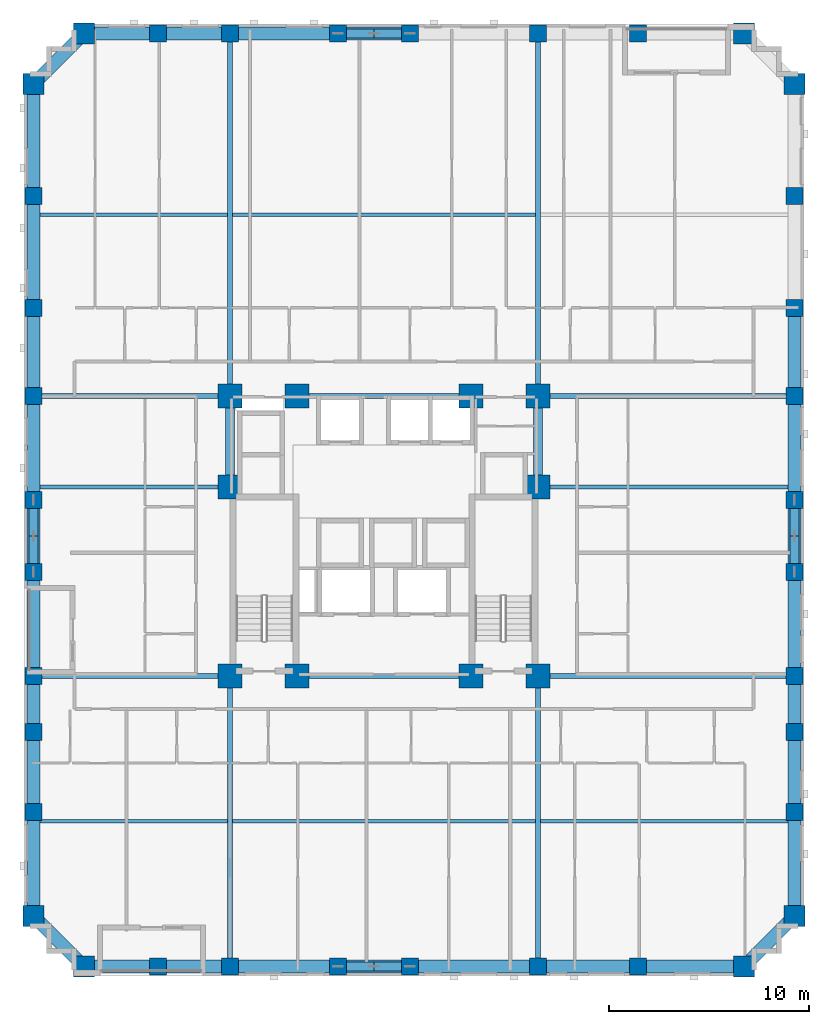
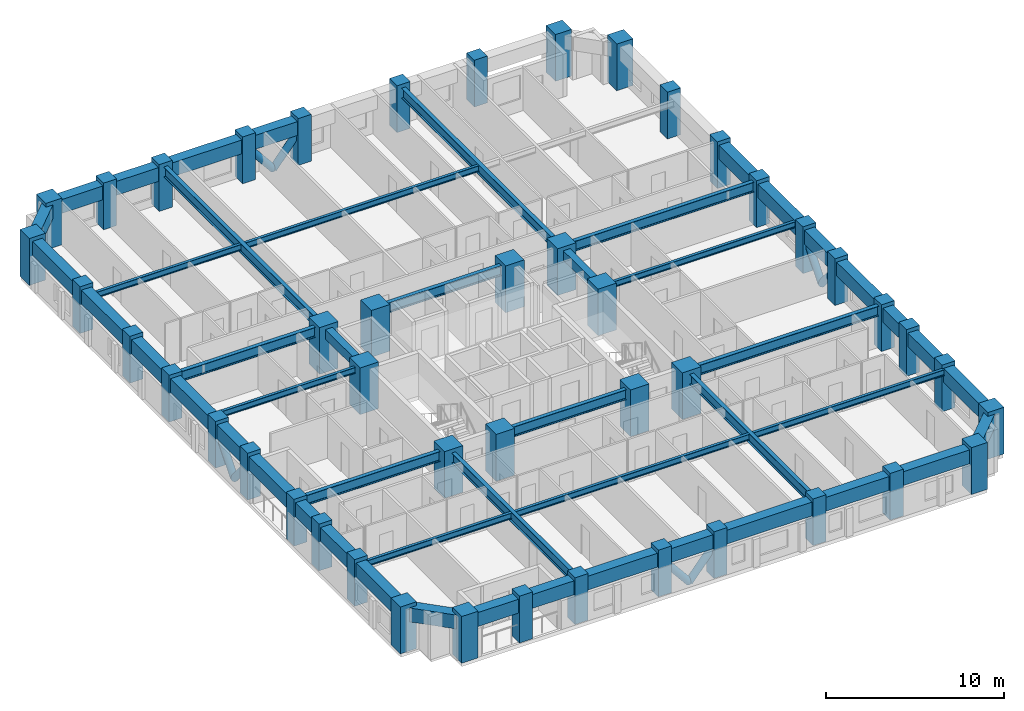
# One storey, part 1 of 14: 49 beams, 46 columns, 8 members.
"""IFC4 building model written with IfcOpenShell, lengths in metres."""

from ifc_helpers import new_model, si_unit, derived_unit, direction, frame, origin, origin_2d, place, context, subcontext, project, spatial, rectangle, hollow_circle, i_section, extrude, material, material_profile, profile_set, type_object, element, save


model = new_model("IFC4")

# Units and contexts
model_context = context("Model", 3, precision=1e-05, world=origin(), true_north=direction((0.0, 1.0)))
body_context = subcontext(model_context, "Body", "Model", "MODEL_VIEW")
ifc_project = project(units=[si_unit("LENGTHUNIT", "METRE"), si_unit("AREAUNIT", "SQUARE_METRE"), si_unit("VOLUMEUNIT", "CUBIC_METRE"), si_unit("PLANEANGLEUNIT", "RADIAN"), si_unit("MASSUNIT", "GRAM", prefix="KILO"), derived_unit("THERMALTRANSMITTANCEUNIT", [(si_unit("MASSUNIT", "GRAM", prefix="KILO"), 1), (si_unit("TIMEUNIT", "SECOND"), -3), (si_unit("THERMODYNAMICTEMPERATUREUNIT", "KELVIN"), -1)])], contexts=[model_context])

# Site, building, storey
site_placement = place(None, origin())
site = spatial("IfcSite", under=ifc_project, at=site_placement, CompositionType="ELEMENT")
building_placement = place(site_placement, origin())
building = spatial("IfcBuilding", under=site, at=building_placement, Name="Korrvale Station Residences", CompositionType="ELEMENT")
storey_placement = place(building_placement, frame((0.0, 0.0, 57.800048828125)))
storey = spatial("IfcBuildingStorey", under=building, at=storey_placement, Name="L15", CompositionType="ELEMENT", Elevation=57.800048828125)

# Columns
ifc_material_1 = material(Name="Concrete C70/85", Category="concrete")
ifc_material_profile_1 = material_profile(ifc_material_1, rectangle(XDim=1.050048828125, YDim=1.050048828125, at=origin_2d()), Name="RC1050x1050")
ifc_profile_set_1 = profile_set([ifc_material_profile_1], Name="Concrete C70/85")
column_type_1 = type_object("IfcColumnType", Name="COL-C-RC1050x1050-C7085", PredefinedType="COLUMN", material=ifc_profile_set_1)
for number, where, z_axis, x_axis, name in (
    (1, (10.5, 0.47998046875, 0.0), (0.0, 0.0, 1.0), (1.0, 0.0, 0.0), "L15 Bundled-Tube South Column 01"),
    (2, (43.5, 0.47998046875, 0.0), (0.0, 0.0, 1.0), (1.0, 0.0, 0.0), "L15 Bundled-Tube South Column 08"),
    (3, (10.5, 47.1201171875, 0.0), (0.0, 0.0, 1.0), (1.0, 0.0, 0.0), "L15 Bundled-Tube North Column 09"),
    (4, (43.5, 47.1201171875, 0.0), (0.0, 0.0, 1.0), (1.0, 0.0, 0.0), "L15 Bundled-Tube North Column 16"),
    (5, (7.97998046875, 3.0, 0.0), (0.0, 0.0, 1.0), (1.0, 0.0, 0.0), "L15 Bundled-Tube West Column 17"),
    (6, (7.97998046875, 44.60009765625, 0.0), (0.0, 0.0, 1.0), (1.0, 0.0, 0.0), "L15 Bundled-Tube West Column 26"),
    (7, (46.02001953125, 3.0, 0.0), (0.0, 0.0, 1.0), (1.0, 0.0, 0.0), "L15 Bundled-Tube East Column 27"),
    (8, (46.02001953125, 44.60009765625, 0.0), (0.0, 0.0, 1.0), (1.0, 0.0, 0.0), "L15 Bundled-Tube East Column 36"),
):
    element("IfcColumn", number, at=place(storey_placement, frame(where, z_axis=z_axis, x_axis=x_axis)), inside=storey, type_object=column_type_1, Name=name, PredefinedType="COLUMN", context=body_context, shape_type="SweptSolid", body=[
        extrude(rectangle(XDim=1.050048828125, YDim=1.050048828125, at=origin_2d()), origin(), (0.0, 0.0, 1.0), 3.199951171875),
    ])
ifc_material_profile_2 = material_profile(ifc_material_1, rectangle(XDim=1.199951171875, YDim=1.199951171875, at=origin_2d()), Name="RC1200x1200")
ifc_profile_set_2 = profile_set([ifc_material_profile_2], Name="Concrete C70/85")
column_type_2 = type_object("IfcColumnType", Name="COL-C-RC1200x1200-C7085", PredefinedType="COLUMN", material=ifc_profile_set_2)
for number, where, z_axis, x_axis, name in (
    (9, (17.800048828125, 15.0, 0.0), (0.0, 0.0, 1.0), (1.0, 0.0, 0.0), "L15 Core Column 01"),
    (10, (21.14990234375, 15.0, 0.0), (0.0, 0.0, 1.0), (1.0, 0.0, 0.0), "L15 Core Column 02"),
    (11, (29.85009765625, 15.0, 0.0), (0.0, 0.0, 1.0), (1.0, 0.0, 0.0), "L15 Core Column 03"),
    (12, (33.199951171875, 15.0, 0.0), (0.0, 0.0, 1.0), (1.0, 0.0, 0.0), "L15 Core Column 04"),
    (13, (17.800048828125, 29.0, 0.0), (0.0, 0.0, 1.0), (1.0, 0.0, 0.0), "L15 Core Column 05"),
    (14, (21.14990234375, 29.0, 0.0), (0.0, 0.0, 1.0), (1.0, 0.0, 0.0), "L15 Core Column 06"),
    (15, (29.85009765625, 29.0, 0.0), (0.0, 0.0, 1.0), (1.0, 0.0, 0.0), "L15 Core Column 07"),
    (16, (33.199951171875, 29.0, 0.0), (0.0, 0.0, 1.0), (1.0, 0.0, 0.0), "L15 Core Column 08"),
    (17, (17.800048828125, 24.449951171875, 0.0), (0.0, 0.0, 1.0), (1.0, 0.0, 0.0), "L15 Core Column 09"),
    (18, (33.199951171875, 24.449951171875, 0.0), (0.0, 0.0, 1.0), (1.0, 0.0, 0.0), "L15 Core Column 10"),
):
    element("IfcColumn", number, at=place(storey_placement, frame(where, z_axis=z_axis, x_axis=x_axis)), inside=storey, type_object=column_type_2, Name=name, PredefinedType="COLUMN", context=body_context, shape_type="SweptSolid", body=[
        extrude(rectangle(XDim=1.199951171875, YDim=1.199951171875, at=origin_2d()), origin(), (0.0, 0.0, 1.0), 3.199951171875),
    ])
ifc_material_profile_3 = material_profile(ifc_material_1, rectangle(XDim=0.85009765625, YDim=0.85009765625, at=origin_2d()), Name="RC850x850")
ifc_profile_set_3 = profile_set([ifc_material_profile_3], Name="Concrete C70/85")
column_type_3 = type_object("IfcColumnType", Name="COL-C-RC850x850-C7085", PredefinedType="COLUMN", material=ifc_profile_set_3)
for number, where, z_axis, x_axis, name in (
    (19, (14.199951171875, 0.47998046875, 0.0), (0.0, 0.0, 1.0), (1.0, 0.0, 0.0), "L15 Bundled-Tube South Column 02"),
    (20, (17.800048828125, 0.47998046875, 0.0), (0.0, 0.0, 1.0), (1.0, 0.0, 0.0), "L15 Bundled-Tube South Column 03"),
    (21, (23.199951171875, 0.47998046875, 0.0), (0.0, 0.0, 1.0), (1.0, 0.0, 0.0), "L15 Bundled-Tube South Column 04"),
    (22, (26.800048828125, 0.47998046875, 0.0), (0.0, 0.0, 1.0), (1.0, 0.0, 0.0), "L15 Bundled-Tube South Column 05"),
    (23, (33.199951171875, 0.47998046875, 0.0), (0.0, 0.0, 1.0), (1.0, 0.0, 0.0), "L15 Bundled-Tube South Column 06"),
    (24, (38.199951171875, 0.47998046875, 0.0), (0.0, 0.0, 1.0), (1.0, 0.0, 0.0), "L15 Bundled-Tube South Column 07"),
    (25, (14.199951171875, 47.1201171875, 0.0), (0.0, 0.0, 1.0), (1.0, 0.0, 0.0), "L15 Bundled-Tube North Column 10"),
    (26, (17.800048828125, 47.1201171875, 0.0), (0.0, 0.0, 1.0), (1.0, 0.0, 0.0), "L15 Bundled-Tube North Column 11"),
    (27, (23.199951171875, 47.1201171875, 0.0), (0.0, 0.0, 1.0), (1.0, 0.0, 0.0), "L15 Bundled-Tube North Column 12"),
    (28, (26.800048828125, 47.1201171875, 0.0), (0.0, 0.0, 1.0), (1.0, 0.0, 0.0), "L15 Bundled-Tube North Column 13"),
    (29, (33.199951171875, 47.1201171875, 0.0), (0.0, 0.0, 1.0), (1.0, 0.0, 0.0), "L15 Bundled-Tube North Column 14"),
    (30, (38.199951171875, 47.1201171875, 0.0), (0.0, 0.0, 1.0), (1.0, 0.0, 0.0), "L15 Bundled-Tube North Column 15"),
    (31, (7.97998046875, 8.199951171875, 0.0), (0.0, 0.0, 1.0), (1.0, 0.0, 0.0), "L15 Bundled-Tube West Column 18"),
    (32, (7.97998046875, 12.199951171875, 0.0), (0.0, 0.0, 1.0), (1.0, 0.0, 0.0), "L15 Bundled-Tube West Column 19"),
    (33, (7.97998046875, 15.0, 0.0), (0.0, 0.0, 1.0), (1.0, 0.0, 0.0), "L15 Bundled-Tube West Column 20"),
    (34, (7.97998046875, 20.199951171875, 0.0), (0.0, 0.0, 1.0), (1.0, 0.0, 0.0), "L15 Bundled-Tube West Column 21"),
    (35, (7.97998046875, 23.800048828125, 0.0), (0.0, 0.0, 1.0), (1.0, 0.0, 0.0), "L15 Bundled-Tube West Column 22"),
    (36, (7.97998046875, 29.0, 0.0), (0.0, 0.0, 1.0), (1.0, 0.0, 0.0), "L15 Bundled-Tube West Column 23"),
    (37, (7.97998046875, 33.39990234375, 0.0), (0.0, 0.0, 1.0), (1.0, 0.0, 0.0), "L15 Bundled-Tube West Column 24"),
    (38, (7.97998046875, 39.0, 0.0), (0.0, 0.0, 1.0), (1.0, 0.0, 0.0), "L15 Bundled-Tube West Column 25"),
    (39, (46.02001953125, 8.199951171875, 0.0), (0.0, 0.0, 1.0), (1.0, 0.0, 0.0), "L15 Bundled-Tube East Column 28"),
    (40, (46.02001953125, 12.199951171875, 0.0), (0.0, 0.0, 1.0), (1.0, 0.0, 0.0), "L15 Bundled-Tube East Column 29"),
    (41, (46.02001953125, 15.0, 0.0), (0.0, 0.0, 1.0), (1.0, 0.0, 0.0), "L15 Bundled-Tube East Column 30"),
    (42, (46.02001953125, 20.199951171875, 0.0), (0.0, 0.0, 1.0), (1.0, 0.0, 0.0), "L15 Bundled-Tube East Column 31"),
    (43, (46.02001953125, 23.800048828125, 0.0), (0.0, 0.0, 1.0), (1.0, 0.0, 0.0), "L15 Bundled-Tube East Column 32"),
    (44, (46.02001953125, 29.0, 0.0), (0.0, 0.0, 1.0), (1.0, 0.0, 0.0), "L15 Bundled-Tube East Column 33"),
    (45, (46.02001953125, 33.39990234375, 0.0), (0.0, 0.0, 1.0), (1.0, 0.0, 0.0), "L15 Bundled-Tube East Column 34"),
    (46, (46.02001953125, 39.0, 0.0), (0.0, 0.0, 1.0), (1.0, 0.0, 0.0), "L15 Bundled-Tube East Column 35"),
):
    element("IfcColumn", number, at=place(storey_placement, frame(where, z_axis=z_axis, x_axis=x_axis)), inside=storey, type_object=column_type_3, Name=name, PredefinedType="COLUMN", context=body_context, shape_type="SweptSolid", body=[
        extrude(rectangle(XDim=0.85009765625, YDim=0.85009765625, at=origin_2d()), origin(), (0.0, 0.0, 1.0), 3.199951171875),
    ])

# Beams
ifc_material_2 = material(Name="Steel S355", Category="steel")
ifc_material_profile_4 = material_profile(ifc_material_2, i_section(OverallWidth=0.256103515625, OverallDepth=0.693115234375, WebThickness=0.014404296875, FlangeThickness=0.023681640625, FilletRadius=0.02197265625, at=origin_2d()), Name="W690x170")
ifc_profile_set_4 = profile_set([ifc_material_profile_4], Name="Steel S355")
beam_type_1 = type_object("IfcBeamType", Name="BM-BM-W690x170-S355", PredefinedType="BEAM", material=ifc_profile_set_4)
for number, where, z_axis, x_axis, name in (
    (47, (17.800048828125, 0.47998046875, 2.593505859375), (0.0, 1.0, 0.0), (-1.0, 0.0, 0.0), "L15 Bundled-Tube Web Girder 01"),
    (48, (33.199951171875, 0.47998046875, 2.593505859375), (0.0, 1.0, 0.0), (-1.0, 0.0, 0.0), "L15 Bundled-Tube Web Girder 02"),
):
    element("IfcBeam", number, at=place(storey_placement, frame(where, z_axis=z_axis, x_axis=x_axis)), inside=storey, type_object=beam_type_1, Name=name, PredefinedType="BEAM", context=body_context, shape_type="SweptSolid", body=[
        extrude(i_section(OverallWidth=0.256103515625, OverallDepth=0.693115234375, WebThickness=0.014404296875, FlangeThickness=0.023681640625, FilletRadius=0.02197265625, at=origin_2d()), origin(), (0.0, 0.0, 1.0), 14.52001953125),
    ])
for number, where, z_axis, x_axis, name in (
    (49, (17.800048828125, 29.0, 2.593505859375), (0.0, 1.0, 0.0), (-1.0, 0.0, 0.0), "L15 Bundled-Tube Web Girder 03"),
    (50, (33.199951171875, 29.0, 2.593505859375), (0.0, 1.0, 0.0), (-1.0, 0.0, 0.0), "L15 Bundled-Tube Web Girder 04"),
):
    element("IfcBeam", number, at=place(storey_placement, frame(where, z_axis=z_axis, x_axis=x_axis)), inside=storey, type_object=beam_type_1, Name=name, PredefinedType="BEAM", context=body_context, shape_type="SweptSolid", body=[
        extrude(i_section(OverallWidth=0.256103515625, OverallDepth=0.693115234375, WebThickness=0.014404296875, FlangeThickness=0.023681640625, FilletRadius=0.02197265625, at=origin_2d()), origin(), (0.0, 0.0, 1.0), 18.1201171875),
    ])
beam_1_placement = place(storey_placement, frame((7.97998046875, 15.0, 2.593505859375), z_axis=(1.0, 0.0, 0.0), x_axis=(0.0, 1.0, 0.0)))
element("IfcBeam", 51, at=beam_1_placement, inside=storey, type_object=beam_type_1, Name="L15 Bundled-Tube Web Girder 05", PredefinedType="BEAM", context=body_context, shape_type="SweptSolid", body=[
    extrude(i_section(OverallWidth=0.256103515625, OverallDepth=0.693115234375, WebThickness=0.014404296875, FlangeThickness=0.023681640625, FilletRadius=0.02197265625, at=origin_2d()), origin(), (0.0, 0.0, 1.0), 9.820068359375),
])
beam_2_placement = place(storey_placement, frame((33.199951171875, 15.0, 2.593505859375), z_axis=(1.0, 0.0, 0.0), x_axis=(0.0, 1.0, 0.0)))
element("IfcBeam", 52, at=beam_2_placement, inside=storey, type_object=beam_type_1, Name="L15 Bundled-Tube Web Girder 06", PredefinedType="BEAM", context=body_context, shape_type="SweptSolid", body=[
    extrude(i_section(OverallWidth=0.256103515625, OverallDepth=0.693115234375, WebThickness=0.014404296875, FlangeThickness=0.023681640625, FilletRadius=0.02197265625, at=origin_2d()), origin(), (0.0, 0.0, 1.0), 12.820068359375),
])
beam_3_placement = place(storey_placement, frame((7.97998046875, 29.0, 2.593505859375), z_axis=(1.0, 0.0, 0.0), x_axis=(0.0, 1.0, 0.0)))
element("IfcBeam", 53, at=beam_3_placement, inside=storey, type_object=beam_type_1, Name="L15 Bundled-Tube Web Girder 07", PredefinedType="BEAM", context=body_context, shape_type="SweptSolid", body=[
    extrude(i_section(OverallWidth=0.256103515625, OverallDepth=0.693115234375, WebThickness=0.014404296875, FlangeThickness=0.023681640625, FilletRadius=0.02197265625, at=origin_2d()), origin(), (0.0, 0.0, 1.0), 9.820068359375),
])
beam_4_placement = place(storey_placement, frame((33.199951171875, 29.0, 2.593505859375), z_axis=(1.0, 0.0, 0.0), x_axis=(0.0, 1.0, 0.0)))
element("IfcBeam", 54, at=beam_4_placement, inside=storey, type_object=beam_type_1, Name="L15 Bundled-Tube Web Girder 08", PredefinedType="BEAM", context=body_context, shape_type="SweptSolid", body=[
    extrude(i_section(OverallWidth=0.256103515625, OverallDepth=0.693115234375, WebThickness=0.014404296875, FlangeThickness=0.023681640625, FilletRadius=0.02197265625, at=origin_2d()), origin(), (0.0, 0.0, 1.0), 12.820068359375),
])
for number, where, z_axis, x_axis, name in (
    (55, (21.14990234375, 15.0, 2.593505859375), (1.0, 0.0, 0.0), (0.0, 1.0, 0.0), "L15 Bundled-Tube Web Girder 09"),
    (56, (21.14990234375, 29.0, 2.593505859375), (1.0, 0.0, 0.0), (0.0, 1.0, 0.0), "L15 Bundled-Tube Web Girder 10"),
):
    element("IfcBeam", number, at=place(storey_placement, frame(where, z_axis=z_axis, x_axis=x_axis)), inside=storey, type_object=beam_type_1, Name=name, PredefinedType="BEAM", context=body_context, shape_type="SweptSolid", body=[
        extrude(i_section(OverallWidth=0.256103515625, OverallDepth=0.693115234375, WebThickness=0.014404296875, FlangeThickness=0.023681640625, FilletRadius=0.02197265625, at=origin_2d()), origin(), (0.0, 0.0, 1.0), 8.7001953125),
    ])
ifc_material_profile_5 = material_profile(ifc_material_2, i_section(OverallWidth=0.180908203125, OverallDepth=0.4169921875, WebThickness=0.010986328125, FlangeThickness=0.018310546875, FilletRadius=0.01611328125, at=origin_2d()), Name="W410x85")
ifc_profile_set_5 = profile_set([ifc_material_profile_5], Name="Steel S355")
beam_type_2 = type_object("IfcBeamType", Name="BM-JST-W410x85-S355", PredefinedType="JOIST", material=ifc_profile_set_5)
beam_5_placement = place(storey_placement, frame((8.304931640625, 7.739990234375, 2.7314453125), z_axis=(1.0, 0.0, 0.0), x_axis=(0.0, 1.0, 0.0)))
element("IfcBeam", 57, at=beam_5_placement, inside=storey, type_object=beam_type_2, Name="L15 Floor Framing Joist 01", PredefinedType="JOIST", context=body_context, shape_type="SweptSolid", body=[
    extrude(i_section(OverallWidth=0.180908203125, OverallDepth=0.4169921875, WebThickness=0.010986328125, FlangeThickness=0.018310546875, FilletRadius=0.01611328125, at=origin_2d()), origin(), (0.0, 0.0, 1.0), 9.3671875),
])
beam_6_placement = place(storey_placement, frame((17.927978515625, 7.739990234375, 2.7314453125), z_axis=(1.0, 0.0, 0.0), x_axis=(0.0, 1.0, 0.0)))
element("IfcBeam", 58, at=beam_6_placement, inside=storey, type_object=beam_type_2, Name="L15 Floor Framing Joist 02", PredefinedType="JOIST", context=body_context, shape_type="SweptSolid", body=[
    extrude(i_section(OverallWidth=0.180908203125, OverallDepth=0.4169921875, WebThickness=0.010986328125, FlangeThickness=0.018310546875, FilletRadius=0.01611328125, at=origin_2d()), origin(), (0.0, 0.0, 1.0), 15.14404296875),
])
beam_7_placement = place(storey_placement, frame((33.327880859375, 7.739990234375, 2.7314453125), z_axis=(1.0, 0.0, 0.0), x_axis=(0.0, 1.0, 0.0)))
element("IfcBeam", 59, at=beam_7_placement, inside=storey, type_object=beam_type_2, Name="L15 Floor Framing Joist 03", PredefinedType="JOIST", context=body_context, shape_type="SweptSolid", body=[
    extrude(i_section(OverallWidth=0.180908203125, OverallDepth=0.4169921875, WebThickness=0.010986328125, FlangeThickness=0.018310546875, FilletRadius=0.01611328125, at=origin_2d()), origin(), (0.0, 0.0, 1.0), 12.3671875),
])
beam_8_placement = place(storey_placement, frame((8.304931640625, 38.06005859375, 2.7314453125), z_axis=(1.0, 0.0, 0.0), x_axis=(0.0, 1.0, 0.0)))
element("IfcBeam", 60, at=beam_8_placement, inside=storey, type_object=beam_type_2, Name="L15 Floor Framing Joist 04", PredefinedType="JOIST", context=body_context, shape_type="SweptSolid", body=[
    extrude(i_section(OverallWidth=0.180908203125, OverallDepth=0.4169921875, WebThickness=0.010986328125, FlangeThickness=0.018310546875, FilletRadius=0.01611328125, at=origin_2d()), origin(), (0.0, 0.0, 1.0), 9.3671875),
])
beam_9_placement = place(storey_placement, frame((17.927978515625, 38.06005859375, 2.7314453125), z_axis=(1.0, 0.0, 0.0), x_axis=(0.0, 1.0, 0.0)))
element("IfcBeam", 61, at=beam_9_placement, inside=storey, type_object=beam_type_2, Name="L15 Floor Framing Joist 05", PredefinedType="JOIST", context=body_context, shape_type="SweptSolid", body=[
    extrude(i_section(OverallWidth=0.180908203125, OverallDepth=0.4169921875, WebThickness=0.010986328125, FlangeThickness=0.018310546875, FilletRadius=0.01611328125, at=origin_2d()), origin(), (0.0, 0.0, 1.0), 15.14404296875),
])
beam_10_placement = place(storey_placement, frame((33.425048828125, 24.449951171875, 2.7314453125), z_axis=(1.0, 0.0, 0.0), x_axis=(0.0, 1.0, 0.0)))
element("IfcBeam", 62, at=beam_10_placement, inside=storey, type_object=beam_type_2, Name="L15 Floor Framing Joist 07", PredefinedType="JOIST", context=body_context, shape_type="SweptSolid", body=[
    extrude(i_section(OverallWidth=0.180908203125, OverallDepth=0.4169921875, WebThickness=0.010986328125, FlangeThickness=0.018310546875, FilletRadius=0.01611328125, at=origin_2d()), origin(), (0.0, 0.0, 1.0), 12.27001953125),
])
beam_11_placement = place(storey_placement, frame((8.304931640625, 24.449951171875, 2.7314453125), z_axis=(1.0, 0.0, 0.0), x_axis=(0.0, 1.0, 0.0)))
element("IfcBeam", 63, at=beam_11_placement, inside=storey, type_object=beam_type_2, Name="L15 Floor Framing Joist 08", PredefinedType="JOIST", context=body_context, shape_type="SweptSolid", body=[
    extrude(i_section(OverallWidth=0.180908203125, OverallDepth=0.4169921875, WebThickness=0.010986328125, FlangeThickness=0.018310546875, FilletRadius=0.01611328125, at=origin_2d()), origin(), (0.0, 0.0, 1.0), 9.27001953125),
])
ifc_material_profile_6 = material_profile(ifc_material_1, rectangle(XDim=0.449951171875, YDim=0.64990234375, at=origin_2d()), Name="RCB450x650")
ifc_profile_set_6 = profile_set([ifc_material_profile_6], Name="Concrete C70/85")
beam_type_3 = type_object("IfcBeamType", Name="BM-LNT-RCB450x650-C7085", PredefinedType="LINTEL", material=ifc_profile_set_6)
for number, where, z_axis, x_axis, name in (
    (64, (17.800048828125, 24.449951171875, 2.614990234375), (0.0, 1.0, 0.0), (-1.0, 0.0, 0.0), "L15 Core Coupling Lintel 1"),
    (65, (33.199951171875, 24.449951171875, 2.614990234375), (0.0, 1.0, 0.0), (-1.0, 0.0, 0.0), "L15 Core Coupling Lintel 2"),
):
    element("IfcBeam", number, at=place(storey_placement, frame(where, z_axis=z_axis, x_axis=x_axis)), inside=storey, type_object=beam_type_3, Name=name, PredefinedType="LINTEL", context=body_context, shape_type="SweptSolid", body=[
        extrude(rectangle(XDim=0.449951171875, YDim=0.64990234375, at=origin_2d()), origin(), (0.0, 0.0, 1.0), 4.550048828125),
    ])
ifc_material_profile_7 = material_profile(ifc_material_1, rectangle(XDim=0.64990234375, YDim=0.949951171875, at=origin_2d()), Name="RCB650x950")
ifc_profile_set_7 = profile_set([ifc_material_profile_7], Name="Concrete C70/85")
beam_type_4 = type_object("IfcBeamType", Name="BM-SPB-RCB650x950-C7085", PredefinedType="SPANDREL", material=ifc_profile_set_7)
beam_12_placement = place(storey_placement, frame((10.5, 0.47998046875, 2.46484375), z_axis=(1.0, 0.0, 0.0), x_axis=(0.0, 1.0, 0.0)))
element("IfcBeam", 66, at=beam_12_placement, inside=storey, type_object=beam_type_4, Name="L15 South Tube Spandrel 01", PredefinedType="SPANDREL", context=body_context, shape_type="SweptSolid", body=[
    extrude(rectangle(XDim=0.64990234375, YDim=0.949951171875, at=origin_2d()), origin(), (0.0, 0.0, 1.0), 3.699951171875),
])
beam_13_placement = place(storey_placement, frame((14.199951171875, 0.47998046875, 2.46484375), z_axis=(1.0, 0.0, 0.0), x_axis=(0.0, 1.0, 0.0)))
element("IfcBeam", 67, at=beam_13_placement, inside=storey, type_object=beam_type_4, Name="L15 South Tube Spandrel 02", PredefinedType="SPANDREL", context=body_context, shape_type="SweptSolid", body=[
    extrude(rectangle(XDim=0.64990234375, YDim=0.949951171875, at=origin_2d()), origin(), (0.0, 0.0, 1.0), 3.60009765625),
])
beam_14_placement = place(storey_placement, frame((17.800048828125, 0.47998046875, 2.46484375), z_axis=(1.0, 0.0, 0.0), x_axis=(0.0, 1.0, 0.0)))
element("IfcBeam", 68, at=beam_14_placement, inside=storey, type_object=beam_type_4, Name="L15 South Tube Spandrel 03", PredefinedType="SPANDREL", context=body_context, shape_type="SweptSolid", body=[
    extrude(rectangle(XDim=0.64990234375, YDim=0.949951171875, at=origin_2d()), origin(), (0.0, 0.0, 1.0), 5.39990234375),
])
beam_15_placement = place(storey_placement, frame((23.199951171875, 0.47998046875, 2.46484375), z_axis=(1.0, 0.0, 0.0), x_axis=(0.0, 1.0, 0.0)))
element("IfcBeam", 69, at=beam_15_placement, inside=storey, type_object=beam_type_4, Name="L15 South Tube Spandrel 04", PredefinedType="SPANDREL", context=body_context, shape_type="SweptSolid", body=[
    extrude(rectangle(XDim=0.64990234375, YDim=0.949951171875, at=origin_2d()), origin(), (0.0, 0.0, 1.0), 3.60009765625),
])
beam_16_placement = place(storey_placement, frame((26.800048828125, 0.47998046875, 2.46484375), z_axis=(1.0, 0.0, 0.0), x_axis=(0.0, 1.0, 0.0)))
element("IfcBeam", 70, at=beam_16_placement, inside=storey, type_object=beam_type_4, Name="L15 South Tube Spandrel 05", PredefinedType="SPANDREL", context=body_context, shape_type="SweptSolid", body=[
    extrude(rectangle(XDim=0.64990234375, YDim=0.949951171875, at=origin_2d()), origin(), (0.0, 0.0, 1.0), 6.39990234375),
])
beam_17_placement = place(storey_placement, frame((33.199951171875, 0.47998046875, 2.46484375), z_axis=(1.0, 0.0, 0.0), x_axis=(0.0, 1.0, 0.0)))
element("IfcBeam", 71, at=beam_17_placement, inside=storey, type_object=beam_type_4, Name="L15 South Tube Spandrel 06", PredefinedType="SPANDREL", context=body_context, shape_type="SweptSolid", body=[
    extrude(rectangle(XDim=0.64990234375, YDim=0.949951171875, at=origin_2d()), origin(), (0.0, 0.0, 1.0), 5.0),
])
beam_18_placement = place(storey_placement, frame((38.199951171875, 0.47998046875, 2.46484375), z_axis=(1.0, 0.0, 0.0), x_axis=(0.0, 1.0, 0.0)))
element("IfcBeam", 72, at=beam_18_placement, inside=storey, type_object=beam_type_4, Name="L15 South Tube Spandrel 07", PredefinedType="SPANDREL", context=body_context, shape_type="SweptSolid", body=[
    extrude(rectangle(XDim=0.64990234375, YDim=0.949951171875, at=origin_2d()), origin(), (0.0, 0.0, 1.0), 5.300048828125),
])
beam_19_placement = place(storey_placement, frame((10.5, 47.1201171875, 2.46484375), z_axis=(1.0, 0.0, 0.0), x_axis=(0.0, 1.0, 0.0)))
element("IfcBeam", 73, at=beam_19_placement, inside=storey, type_object=beam_type_4, Name="L15 North Tube Spandrel 08", PredefinedType="SPANDREL", context=body_context, shape_type="SweptSolid", body=[
    extrude(rectangle(XDim=0.64990234375, YDim=0.949951171875, at=origin_2d()), origin(), (0.0, 0.0, 1.0), 3.699951171875),
])
beam_20_placement = place(storey_placement, frame((14.199951171875, 47.1201171875, 2.46484375), z_axis=(1.0, 0.0, 0.0), x_axis=(0.0, 1.0, 0.0)))
element("IfcBeam", 74, at=beam_20_placement, inside=storey, type_object=beam_type_4, Name="L15 North Tube Spandrel 09", PredefinedType="SPANDREL", context=body_context, shape_type="SweptSolid", body=[
    extrude(rectangle(XDim=0.64990234375, YDim=0.949951171875, at=origin_2d()), origin(), (0.0, 0.0, 1.0), 3.60009765625),
])
beam_21_placement = place(storey_placement, frame((17.800048828125, 47.1201171875, 2.46484375), z_axis=(1.0, 0.0, 0.0), x_axis=(0.0, 1.0, 0.0)))
element("IfcBeam", 75, at=beam_21_placement, inside=storey, type_object=beam_type_4, Name="L15 North Tube Spandrel 10", PredefinedType="SPANDREL", context=body_context, shape_type="SweptSolid", body=[
    extrude(rectangle(XDim=0.64990234375, YDim=0.949951171875, at=origin_2d()), origin(), (0.0, 0.0, 1.0), 5.39990234375),
])
beam_22_placement = place(storey_placement, frame((23.199951171875, 47.1201171875, 2.46484375), z_axis=(1.0, 0.0, 0.0), x_axis=(0.0, 1.0, 0.0)))
element("IfcBeam", 76, at=beam_22_placement, inside=storey, type_object=beam_type_4, Name="L15 North Tube Spandrel 11", PredefinedType="SPANDREL", context=body_context, shape_type="SweptSolid", body=[
    extrude(rectangle(XDim=0.64990234375, YDim=0.949951171875, at=origin_2d()), origin(), (0.0, 0.0, 1.0), 3.60009765625),
])
beam_23_placement = place(storey_placement, frame((7.97998046875, 3.0, 2.46484375), z_axis=(0.0, 1.0, 0.0), x_axis=(-1.0, 0.0, 0.0)))
element("IfcBeam", 77, at=beam_23_placement, inside=storey, type_object=beam_type_4, Name="L15 West Tube Spandrel 15", PredefinedType="SPANDREL", context=body_context, shape_type="SweptSolid", body=[
    extrude(rectangle(XDim=0.64990234375, YDim=0.949951171875, at=origin_2d()), origin(), (0.0, 0.0, 1.0), 5.199951171875),
])
beam_24_placement = place(storey_placement, frame((7.97998046875, 8.199951171875, 2.46484375), z_axis=(0.0, 1.0, 0.0), x_axis=(-1.0, 0.0, 0.0)))
element("IfcBeam", 78, at=beam_24_placement, inside=storey, type_object=beam_type_4, Name="L15 West Tube Spandrel 16", PredefinedType="SPANDREL", context=body_context, shape_type="SweptSolid", body=[
    extrude(rectangle(XDim=0.64990234375, YDim=0.949951171875, at=origin_2d()), origin(), (0.0, 0.0, 1.0), 4.0),
])
beam_25_placement = place(storey_placement, frame((7.97998046875, 12.199951171875, 2.46484375), z_axis=(0.0, 1.0, 0.0), x_axis=(-1.0, 0.0, 0.0)))
element("IfcBeam", 79, at=beam_25_placement, inside=storey, type_object=beam_type_4, Name="L15 West Tube Spandrel 17", PredefinedType="SPANDREL", context=body_context, shape_type="SweptSolid", body=[
    extrude(rectangle(XDim=0.64990234375, YDim=0.949951171875, at=origin_2d()), origin(), (0.0, 0.0, 1.0), 2.800048828125),
])
beam_26_placement = place(storey_placement, frame((7.97998046875, 15.0, 2.46484375), z_axis=(0.0, 1.0, 0.0), x_axis=(-1.0, 0.0, 0.0)))
element("IfcBeam", 80, at=beam_26_placement, inside=storey, type_object=beam_type_4, Name="L15 West Tube Spandrel 18", PredefinedType="SPANDREL", context=body_context, shape_type="SweptSolid", body=[
    extrude(rectangle(XDim=0.64990234375, YDim=0.949951171875, at=origin_2d()), origin(), (0.0, 0.0, 1.0), 5.199951171875),
])
beam_27_placement = place(storey_placement, frame((7.97998046875, 20.199951171875, 2.46484375), z_axis=(0.0, 1.0, 0.0), x_axis=(-1.0, 0.0, 0.0)))
element("IfcBeam", 81, at=beam_27_placement, inside=storey, type_object=beam_type_4, Name="L15 West Tube Spandrel 19", PredefinedType="SPANDREL", context=body_context, shape_type="SweptSolid", body=[
    extrude(rectangle(XDim=0.64990234375, YDim=0.949951171875, at=origin_2d()), origin(), (0.0, 0.0, 1.0), 3.60009765625),
])
beam_28_placement = place(storey_placement, frame((7.97998046875, 23.800048828125, 2.46484375), z_axis=(0.0, 1.0, 0.0), x_axis=(-1.0, 0.0, 0.0)))
element("IfcBeam", 82, at=beam_28_placement, inside=storey, type_object=beam_type_4, Name="L15 West Tube Spandrel 20", PredefinedType="SPANDREL", context=body_context, shape_type="SweptSolid", body=[
    extrude(rectangle(XDim=0.64990234375, YDim=0.949951171875, at=origin_2d()), origin(), (0.0, 0.0, 1.0), 5.199951171875),
])
beam_29_placement = place(storey_placement, frame((7.97998046875, 29.0, 2.46484375), z_axis=(0.0, 1.0, 0.0), x_axis=(-1.0, 0.0, 0.0)))
element("IfcBeam", 83, at=beam_29_placement, inside=storey, type_object=beam_type_4, Name="L15 West Tube Spandrel 21", PredefinedType="SPANDREL", context=body_context, shape_type="SweptSolid", body=[
    extrude(rectangle(XDim=0.64990234375, YDim=0.949951171875, at=origin_2d()), origin(), (0.0, 0.0, 1.0), 4.39990234375),
])
for number, where, z_axis, x_axis, name in (
    (84, (7.97998046875, 33.39990234375, 2.46484375), (0.0, 1.0, 0.0), (-1.0, 0.0, 0.0), "L15 West Tube Spandrel 22"),
    (85, (7.97998046875, 39.0, 2.46484375), (0.0, 1.0, 0.0), (-1.0, 0.0, 0.0), "L15 West Tube Spandrel 23"),
):
    element("IfcBeam", number, at=place(storey_placement, frame(where, z_axis=z_axis, x_axis=x_axis)), inside=storey, type_object=beam_type_4, Name=name, PredefinedType="SPANDREL", context=body_context, shape_type="SweptSolid", body=[
        extrude(rectangle(XDim=0.64990234375, YDim=0.949951171875, at=origin_2d()), origin(), (0.0, 0.0, 1.0), 5.60009765625),
    ])
beam_30_placement = place(storey_placement, frame((46.02001953125, 3.0, 2.46484375), z_axis=(0.0, 1.0, 0.0), x_axis=(-1.0, 0.0, 0.0)))
element("IfcBeam", 86, at=beam_30_placement, inside=storey, type_object=beam_type_4, Name="L15 East Tube Spandrel 24", PredefinedType="SPANDREL", context=body_context, shape_type="SweptSolid", body=[
    extrude(rectangle(XDim=0.64990234375, YDim=0.949951171875, at=origin_2d()), origin(), (0.0, 0.0, 1.0), 5.199951171875),
])
beam_31_placement = place(storey_placement, frame((46.02001953125, 8.199951171875, 2.46484375), z_axis=(0.0, 1.0, 0.0), x_axis=(-1.0, 0.0, 0.0)))
element("IfcBeam", 87, at=beam_31_placement, inside=storey, type_object=beam_type_4, Name="L15 East Tube Spandrel 25", PredefinedType="SPANDREL", context=body_context, shape_type="SweptSolid", body=[
    extrude(rectangle(XDim=0.64990234375, YDim=0.949951171875, at=origin_2d()), origin(), (0.0, 0.0, 1.0), 4.0),
])
beam_32_placement = place(storey_placement, frame((46.02001953125, 12.199951171875, 2.46484375), z_axis=(0.0, 1.0, 0.0), x_axis=(-1.0, 0.0, 0.0)))
element("IfcBeam", 88, at=beam_32_placement, inside=storey, type_object=beam_type_4, Name="L15 East Tube Spandrel 26", PredefinedType="SPANDREL", context=body_context, shape_type="SweptSolid", body=[
    extrude(rectangle(XDim=0.64990234375, YDim=0.949951171875, at=origin_2d()), origin(), (0.0, 0.0, 1.0), 2.800048828125),
])
beam_33_placement = place(storey_placement, frame((46.02001953125, 15.0, 2.46484375), z_axis=(0.0, 1.0, 0.0), x_axis=(-1.0, 0.0, 0.0)))
element("IfcBeam", 89, at=beam_33_placement, inside=storey, type_object=beam_type_4, Name="L15 East Tube Spandrel 27", PredefinedType="SPANDREL", context=body_context, shape_type="SweptSolid", body=[
    extrude(rectangle(XDim=0.64990234375, YDim=0.949951171875, at=origin_2d()), origin(), (0.0, 0.0, 1.0), 5.199951171875),
])
beam_34_placement = place(storey_placement, frame((46.02001953125, 20.199951171875, 2.46484375), z_axis=(0.0, 1.0, 0.0), x_axis=(-1.0, 0.0, 0.0)))
element("IfcBeam", 90, at=beam_34_placement, inside=storey, type_object=beam_type_4, Name="L15 East Tube Spandrel 28", PredefinedType="SPANDREL", context=body_context, shape_type="SweptSolid", body=[
    extrude(rectangle(XDim=0.64990234375, YDim=0.949951171875, at=origin_2d()), origin(), (0.0, 0.0, 1.0), 3.60009765625),
])
beam_35_placement = place(storey_placement, frame((46.02001953125, 23.800048828125, 2.46484375), z_axis=(0.0, 1.0, 0.0), x_axis=(-1.0, 0.0, 0.0)))
element("IfcBeam", 91, at=beam_35_placement, inside=storey, type_object=beam_type_4, Name="L15 East Tube Spandrel 29", PredefinedType="SPANDREL", context=body_context, shape_type="SweptSolid", body=[
    extrude(rectangle(XDim=0.64990234375, YDim=0.949951171875, at=origin_2d()), origin(), (0.0, 0.0, 1.0), 5.199951171875),
])
beam_36_placement = place(storey_placement, frame((46.02001953125, 29.0, 2.46484375), z_axis=(0.0, 1.0, 0.0), x_axis=(-1.0, 0.0, 0.0)))
element("IfcBeam", 92, at=beam_36_placement, inside=storey, type_object=beam_type_4, Name="L15 East Tube Spandrel 30", PredefinedType="SPANDREL", context=body_context, shape_type="SweptSolid", body=[
    extrude(rectangle(XDim=0.64990234375, YDim=0.949951171875, at=origin_2d()), origin(), (0.0, 0.0, 1.0), 4.39990234375),
])
for number, where, z_axis, x_axis, name in (
    (93, (10.5, 0.47998046875, 2.46484375), (-0.707106781187, 0.707106781187, 0.0), (-0.707106781187, -0.707106781187, 0.0), "L15 Serrated Corner Spandrel 33"),
    (94, (43.5, 0.47998046875, 2.46484375), (0.707106781187, 0.707106781187, 0.0), (-0.707106781187, 0.707106781187, 0.0), "L15 Serrated Corner Spandrel 34"),
    (95, (10.5, 47.1201171875, 2.46484375), (-0.707106781187, -0.707106781187, 0.0), (0.707106781187, -0.707106781187, 0.0), "L15 Serrated Corner Spandrel 36"),
):
    element("IfcBeam", number, at=place(storey_placement, frame(where, z_axis=z_axis, x_axis=x_axis)), inside=storey, type_object=beam_type_4, Name=name, PredefinedType="SPANDREL", context=body_context, shape_type="SweptSolid", body=[
        extrude(rectangle(XDim=0.64990234375, YDim=0.949951171875, at=origin_2d()), origin(), (0.0, 0.0, 1.0), 3.56396484375),
    ])

# Members
ifc_material_profile_8 = material_profile(ifc_material_2, hollow_circle(Radius=0.228515625, WallThickness=0.01904296875, at=origin_2d()), Name="HSS457x19")
ifc_profile_set_8 = profile_set([ifc_material_profile_8], Name="Steel S355")
member_type = type_object("IfcMemberType", Name="MBR-BR-HSS457x19", PredefinedType="BRACE", material=ifc_profile_set_8)
for number, where, z_axis, x_axis, name in (
    (96, (25.0, 0.47998046875, 0.02001953125), (-0.634985494602, 0.0, 0.772524058942), (0.0, -1.0, 0.0), "L15 S Perimeter Tube Wind Brace 1"),
    (97, (25.0, 0.47998046875, 0.02001953125), (0.634985494602, 0.0, 0.772524058942), (0.0, 1.0, 0.0), "L15 S Perimeter Tube Wind Brace 2"),
    (98, (25.0, 47.1201171875, 0.02001953125), (-0.634985494602, 0.0, 0.772524058942), (0.0, -1.0, 0.0), "L15 N Perimeter Tube Wind Brace 1"),
    (99, (25.0, 47.1201171875, 0.02001953125), (0.634985494602, 0.0, 0.772524058942), (0.0, 1.0, 0.0), "L15 N Perimeter Tube Wind Brace 2"),
    (100, (7.97998046875, 22.0, 0.02001953125), (0.0, -0.634985494602, 0.772524058942), (1.0, 0.0, 0.0), "L15 W Perimeter Tube Wind Brace 1"),
    (101, (7.97998046875, 22.0, 0.02001953125), (0.0, 0.634985494602, 0.772524058942), (-1.0, 0.0, 0.0), "L15 W Perimeter Tube Wind Brace 2"),
    (102, (46.02001953125, 22.0, 0.02001953125), (0.0, -0.634985494602, 0.772524058942), (1.0, 0.0, 0.0), "L15 E Perimeter Tube Wind Brace 1"),
    (103, (46.02001953125, 22.0, 0.02001953125), (0.0, 0.634985494602, 0.772524058942), (-1.0, 0.0, 0.0), "L15 E Perimeter Tube Wind Brace 2"),
):
    element("IfcMember", number, at=place(storey_placement, frame(where, z_axis=z_axis, x_axis=x_axis)), inside=storey, type_object=member_type, Name=name, PredefinedType="BRACE", context=body_context, shape_type="SweptSolid", body=[
        extrude(hollow_circle(Radius=0.228515625, WallThickness=0.01904296875, at=origin_2d()), origin(), (0.0, 0.0, 1.0), 2.834716796875),
    ])

save(model, "model.ifc")
